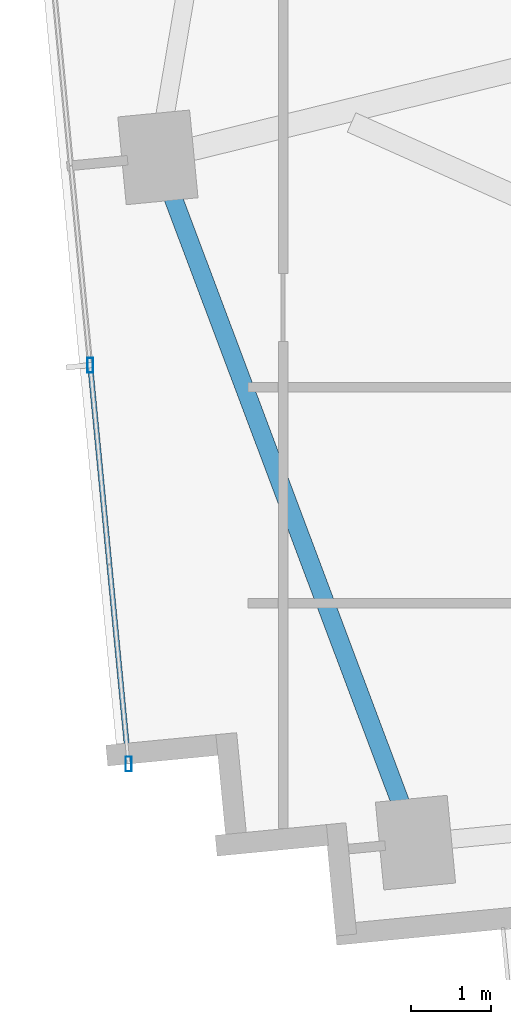
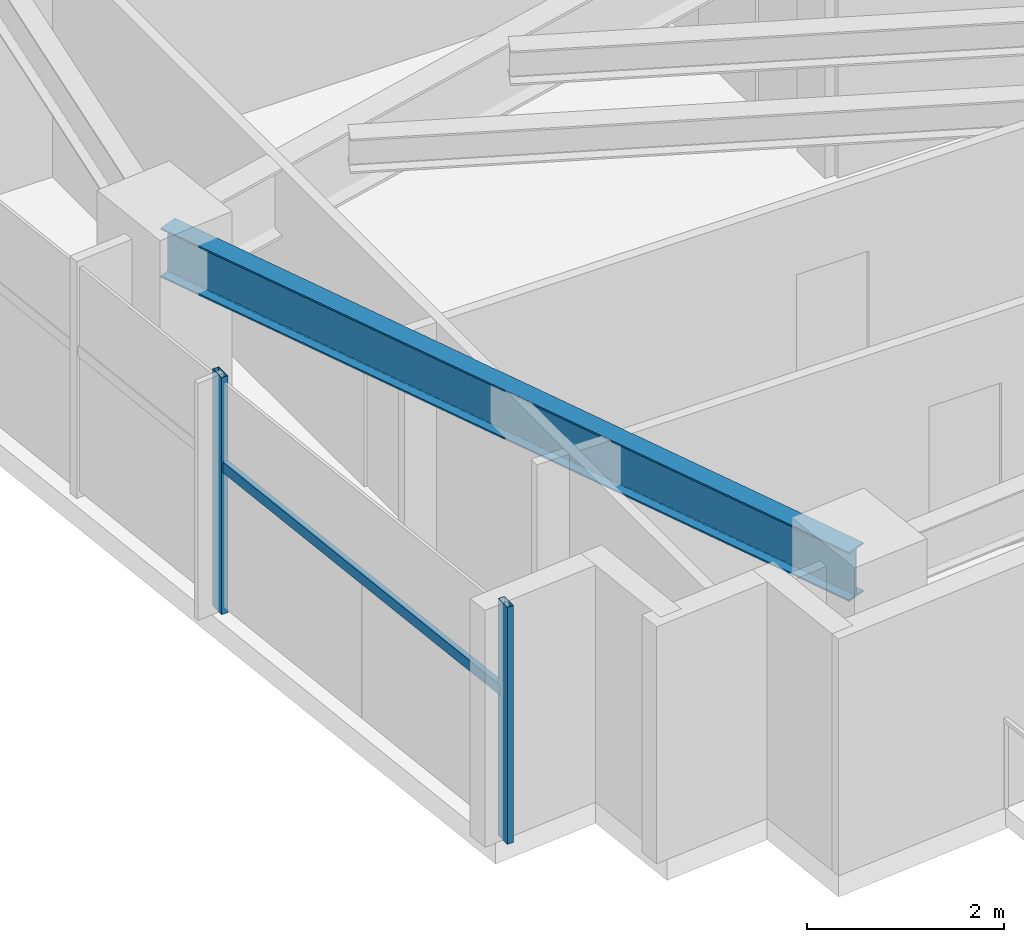
# One storey, part 2 of 27: 3 members, 1 beam, 1 element without a shape of its own.
"""IFC4 building model written with IfcOpenShell, lengths in metres."""

from ifc_helpers import new_model, si_unit, direction, frame, origin, origin_2d, place, context, subcontext, project, spatial, hollow_rectangle, i_section, extrude, source, transform, mapped, material, material_profile, profile_set, type_object, type_shapes, element, aggregate, save


model = new_model("IFC4")

# Units and contexts
model_context = context("Model", 3, precision=1e-05, world=origin(), true_north=direction((0.0, 1.0)))
body_context = subcontext(model_context, "Body", "Model", "MODEL_VIEW")
ifc_project = project(units=[si_unit("LENGTHUNIT", "METRE"), si_unit("AREAUNIT", "SQUARE_METRE"), si_unit("VOLUMEUNIT", "CUBIC_METRE"), si_unit("PLANEANGLEUNIT", "RADIAN"), si_unit("MASSUNIT", "GRAM", prefix="KILO")], contexts=[model_context])

# Site, building, storey
site_placement = place(None, origin())
site = spatial("IfcSite", under=ifc_project, at=site_placement, CompositionType="ELEMENT")
building_placement = place(site_placement, origin())
building = spatial("IfcBuilding", under=site, at=building_placement, Name="Astriad Promenade Condominiums", CompositionType="ELEMENT")
storey_placement = place(building_placement, frame((0.0, 0.0, 113.0)))
storey = spatial("IfcBuildingStorey", under=building, at=storey_placement, Name="L32", CompositionType="ELEMENT", Elevation=113.0)

# Beam
ifc_material_1 = material(Name="Steel ASTM A992 Grade 50", Category="steel")
ifc_material_profile_1 = material_profile(ifc_material_1, i_section(OverallWidth=0.22900390625, OverallDepth=0.612060546875, WebThickness=0.011962890625, FlangeThickness=0.01953125, FilletRadius=0.017822265625, at=origin_2d()), Name="W24X84")
ifc_profile_set_1 = profile_set([ifc_material_profile_1], Name="Steel ASTM A992 Grade 50")
beam_type = type_object("IfcBeamType", Name="STEEL SPANDREL BEAM W24X84", PredefinedType="SPANDREL", material=ifc_profile_set_1)
shared_shape_1 = source(origin(), body_context, "Body", "SweptSolid", [
    extrude(i_section(OverallWidth=0.22900390625, OverallDepth=0.612060546875, WebThickness=0.011962890625, FlangeThickness=0.01953125, FilletRadius=0.017822265625, at=origin_2d()), origin(), (0.0, 0.0, 1.0), 9.055419921875),
])
type_shapes(beam_type, [shared_shape_1])
beam_placement = place(storey_placement, frame((10.765625, 13.523193359375, 2.6337890625), z_axis=(0.351864937141, -0.936050781748, 0.0), x_axis=(0.936050781748, 0.351864937141, 0.0)))
element("IfcBeam", 1, at=beam_placement, inside=storey, type_object=beam_type, Name="Perimeter Spandrel Beam SP-W1-L32", PredefinedType="SPANDREL", context=body_context, shape_type="MappedRepresentation", body=[
    mapped(shared_shape_1, transform((0.0, 0.0, 0.0), scale=1.0)),
])

# Curtain wall, members
ifc_material_2 = material(Name="Anodised aluminium Black Dark Glass Unitised", Category="aluminium")
curtain_wall_type = type_object("IfcCurtainWallType", Name="CW-B2-DARK", PredefinedType="USERDEFINED", material=ifc_material_2)
curtain_wall_placement = place(storey_placement, origin())
curtain_wall = element("IfcCurtainWall", 2, at=curtain_wall_placement, inside=storey, type_object=curtain_wall_type, Name="CW-L32-W", ObjectType="UNITISED_CURTAIN_WALL", PredefinedType="USERDEFINED")
ifc_material_3 = material(Name="Anodised aluminium 6063-T6 Black", Category="aluminium")
ifc_material_profile_2 = material_profile(ifc_material_3, hollow_rectangle(XDim=0.074951171875, YDim=0.18505859375, WallThickness=0.00439453125, at=origin_2d()), Name="ALU-MUL-75X185")
ifc_profile_set_2 = profile_set([ifc_material_profile_2], Name="Anodised aluminium 6063-T6 Black")
member_type_1 = type_object("IfcMemberType", Name="MUL-ALU-MUL-75X185", PredefinedType="MULLION", material=ifc_profile_set_2)
shared_shape_2 = source(origin(), body_context, "Body", "SweptSolid", [
    extrude(hollow_rectangle(XDim=0.074951171875, YDim=0.18505859375, WallThickness=0.00439453125, at=origin_2d()), origin(), (0.0, 0.0, 1.0), 2.93994140625),
])
type_shapes(member_type_1, [shared_shape_2])
member_1_placement = place(storey_placement, frame((10.385498046875, 5.99072265625, 0.0), z_axis=(0.0, 0.0, 1.0), x_axis=(1.0, 0.0, 0.0)))
member_1 = element("IfcMember", 3, at=member_1_placement, type_object=member_type_1, Name="CW-L32-W-MUL-00", PredefinedType="MULLION", context=body_context, shape_type="MappedRepresentation", body=[
    mapped(shared_shape_2, transform((0.0, 0.0, 0.0), scale=1.0)),
])
member_2_placement = place(storey_placement, frame((9.90625, 10.9677734375, 0.0), z_axis=(0.0, 0.0, 1.0), x_axis=(1.0, 0.0, 0.0)))
member_2 = element("IfcMember", 4, at=member_2_placement, type_object=member_type_1, Name="CW-L32-W-MUL-01", PredefinedType="MULLION", context=body_context, shape_type="MappedRepresentation", body=[
    mapped(shared_shape_2, transform((0.0, 0.0, 0.0), scale=1.0)),
])
ifc_material_profile_3 = material_profile(ifc_material_3, hollow_rectangle(XDim=0.06494140625, YDim=0.1298828125, WallThickness=0.00390625, at=origin_2d()), Name="ALU-TRN-65X130")
ifc_profile_set_3 = profile_set([ifc_material_profile_3], Name="Anodised aluminium 6063-T6 Black")
member_type_2 = type_object("IfcMemberType", Name="TRN-ALU-TRN-65X130", PredefinedType="USERDEFINED", material=ifc_profile_set_3)
shared_shape_3 = source(origin(), body_context, "Body", "SweptSolid", [
    extrude(hollow_rectangle(XDim=0.06494140625, YDim=0.1298828125, WallThickness=0.00390625, at=origin_2d()), origin(), (0.0, 0.0, 1.0), 5.0),
])
type_shapes(member_type_2, [shared_shape_3])
member_3_placement = place(storey_placement, frame((10.385498046875, 5.99072265625, 1.82275390625), z_axis=(-0.095848242264, 0.995395958629, 0.0), x_axis=(-0.995395958629, -0.095848242264, 0.0)))
member_3 = element("IfcMember", 5, at=member_3_placement, type_object=member_type_2, Name="CW-L32-W-TRN-00-0", ObjectType="TRANSOM", PredefinedType="USERDEFINED", context=body_context, shape_type="MappedRepresentation", body=[
    mapped(shared_shape_3, transform((0.0, 0.0, 0.0), scale=1.0)),
])
aggregate(curtain_wall, [member_1, member_2, member_3])

save(model, "model.ifc")
